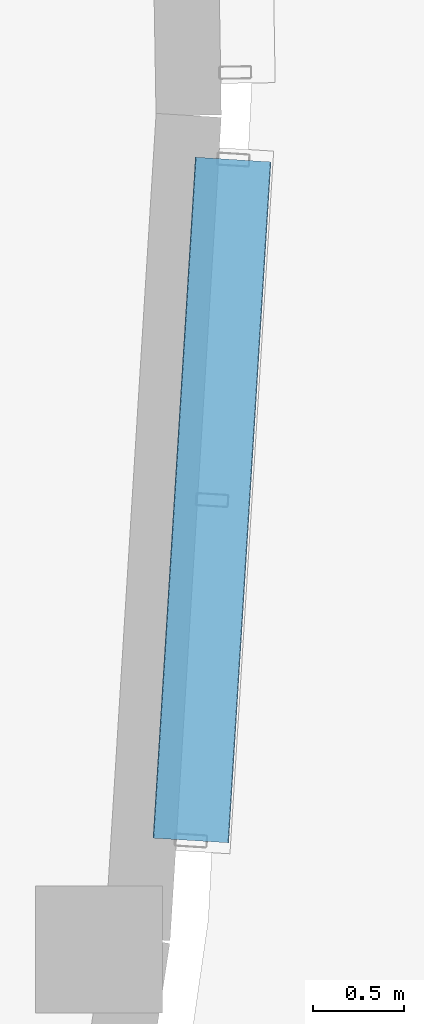
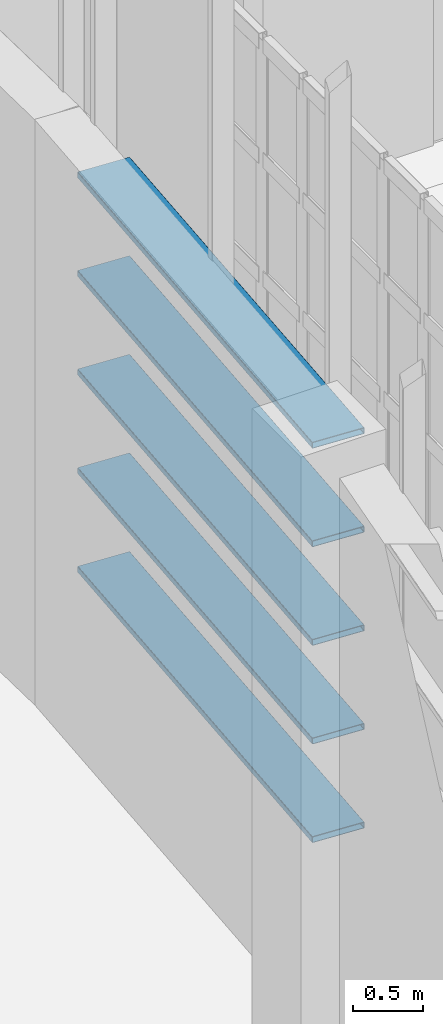
# One storey, part 229 of 372: 5 members.
"""IFC4 building model written with IfcOpenShell, lengths in metres."""

from ifc_helpers import new_model, si_unit, direction, frame, origin, origin_2d, place, context, subcontext, project, spatial, hollow_rectangle, extrude, material, material_profile, profile_set, type_object, element, save


model = new_model("IFC4")

# Units and contexts
model_context = context("Model", 3, precision=1e-05, world=origin(), true_north=direction((0.0, 1.0)))
body_context = subcontext(model_context, "Body", "Model", "MODEL_VIEW")
ifc_project = project(units=[si_unit("LENGTHUNIT", "METRE"), si_unit("AREAUNIT", "SQUARE_METRE"), si_unit("VOLUMEUNIT", "CUBIC_METRE"), si_unit("PLANEANGLEUNIT", "RADIAN"), si_unit("MASSUNIT", "GRAM", prefix="KILO")], contexts=[model_context])

# Site, building, storey
site_placement = place(None, origin())
site = spatial("IfcSite", under=ifc_project, at=site_placement, CompositionType="ELEMENT")
building_placement = place(site_placement, origin())
building = spatial("IfcBuilding", under=site, at=building_placement, Name="Kaelora Sail Theatre", CompositionType="ELEMENT")
storey_placement = place(building_placement, origin())
storey = spatial("IfcBuildingStorey", under=building, at=storey_placement, Name="L00", CompositionType="ELEMENT", Elevation=0.0)

# Members
ifc_material = material(Name="Anodised aluminium 6063-T6", Category="aluminium")
ifc_material_profile = material_profile(ifc_material, hollow_rectangle(XDim=0.419921875, YDim=0.054931640625, WallThickness=0.00390625, InnerFilletRadius=0.00390625, OuterFilletRadius=0.008056640625, at=origin_2d()), Name="LOUVRE 420x55x4")
ifc_profile_set = profile_set([ifc_material_profile], Name="Anodised aluminium 6063-T6")
member_type = type_object("IfcMemberType", Name="ARC-MEM-LVR-420", PredefinedType="USERDEFINED", material=ifc_profile_set)
for number, where, z_axis, x_axis, name in (
    (1, (104.72265625, 56.121337890625, 1.25), (-0.062079432588, -0.998071211913, 0.0), (0.998071211913, -0.062079432588, 0.0), "Studio Theatre Sail Drum horizontal solar louvre C2-01"),
    (2, (104.72265625, 56.121337890625, 2.110107421875), (-0.062079432588, -0.998071211913, 0.0), (0.998071211913, -0.062079432588, 0.0), "Studio Theatre Sail Drum horizontal solar louvre C2-02"),
    (3, (104.72265625, 56.121337890625, 2.969970703125), (-0.062079432588, -0.998071211913, 0.0), (0.998071211913, -0.062079432588, 0.0), "Studio Theatre Sail Drum horizontal solar louvre C2-03"),
    (4, (104.72265625, 56.121337890625, 3.830078125), (-0.062079432588, -0.998071211913, 0.0), (0.998071211913, -0.062079432588, 0.0), "Studio Theatre Sail Drum horizontal solar louvre C2-04"),
    (5, (104.72265625, 56.121337890625, 4.68994140625), (-0.062079432588, -0.998071211913, 0.0), (0.998071211913, -0.062079432588, 0.0), "Studio Theatre Sail Drum horizontal solar louvre C2-05"),
):
    element("IfcMember", number, at=place(storey_placement, frame(where, z_axis=z_axis, x_axis=x_axis)), inside=storey, type_object=member_type, Name=name, ObjectType="LOUVRE", PredefinedType="USERDEFINED", context=body_context, shape_type="SweptSolid", body=[
        extrude(hollow_rectangle(XDim=0.419921875, YDim=0.054931640625, WallThickness=0.00390625, InnerFilletRadius=0.00390625, OuterFilletRadius=0.008056640625, at=origin_2d()), origin(), (0.0, 0.0, 1.0), 3.763671875),
    ])

save(model, "model.ifc")
